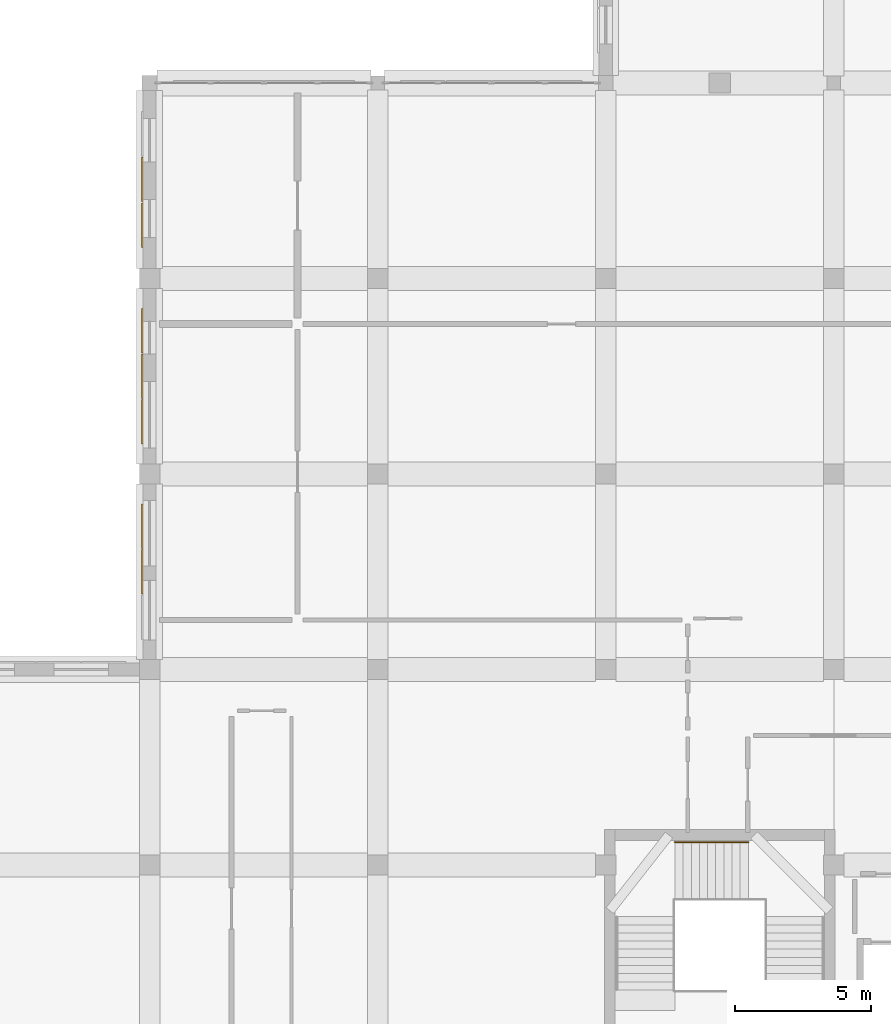
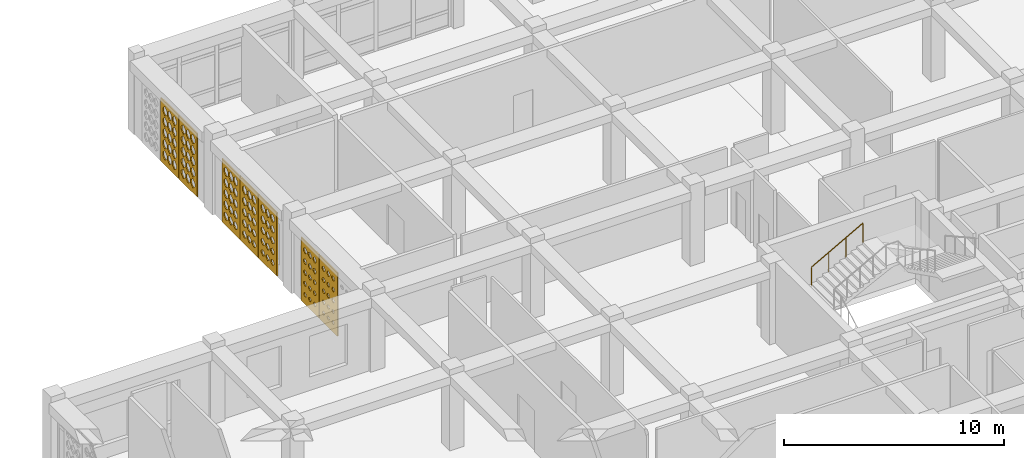
# One storey, part 107 of 121: 7 coverings, 1 railing.
"""IFC4 building model written with IfcOpenShell, lengths in metres."""

from ifc_helpers import new_model, si_unit, derived_unit, direction, frame, origin, origin_2d, place, context, subcontext, project, spatial, polyline, circle, outline, extrude, material, layer, layer_set, type_object, element, save


model = new_model("IFC4")

# Units and contexts
model_context = context("Model", 3, precision=1e-05, world=origin(), true_north=direction((0.0, 1.0)))
body_context = subcontext(model_context, "Body", "Model", "MODEL_VIEW")
ifc_project = project(units=[si_unit("LENGTHUNIT", "METRE"), si_unit("AREAUNIT", "SQUARE_METRE"), si_unit("VOLUMEUNIT", "CUBIC_METRE"), si_unit("PLANEANGLEUNIT", "RADIAN"), si_unit("MASSUNIT", "GRAM", prefix="KILO"), derived_unit("THERMALTRANSMITTANCEUNIT", [(si_unit("POWERUNIT", "WATT"), 1), (si_unit("LENGTHUNIT", "METRE"), -2), (si_unit("THERMODYNAMICTEMPERATUREUNIT", "KELVIN"), -1)])], contexts=[model_context])

# Site, building, storey
site_placement = place(None, origin())
site = spatial("IfcSite", under=ifc_project, at=site_placement, CompositionType="ELEMENT")
building_placement = place(site_placement, origin())
building = spatial("IfcBuilding", under=site, at=building_placement, Name="Veybourne Emporium", CompositionType="ELEMENT")
storey_placement = place(building_placement, frame((0.0, 0.0, 5.39990234375)))
storey = spatial("IfcBuildingStorey", under=building, at=storey_placement, Name="L01", CompositionType="ELEMENT", Elevation=5.39990234375)

# Railing
ifc_material_1 = material(Name="Brushed Stainless Steel", Category="steel")
railing_type = type_object("IfcRailingType", Name="Handrail_HR-01", PredefinedType="HANDRAIL", material=ifc_material_1)
railing_placement = place(storey_placement, frame((52.949951171875, 80.0400390625, 1.650146484375)))
element("IfcRailing", 1, at=railing_placement, inside=storey, type_object=railing_type, Name="L01 ST-03 pitch handrail 2", PredefinedType="HANDRAIL", context=body_context, shape_type="SweptSolid", body=[
    extrude(circle(Radius=0.02392578125, at=origin_2d()), frame((0.0, 0.0, 0.92578125), z_axis=(0.87415354758, 0.0, 0.485649642493), x_axis=(0.0, 1.0, 0.0)), (0.0, 0.0, 1.0), 3.088623046875),
    extrude(circle(Radius=0.02099609375, at=origin_2d()), frame((0.0, 0.0, -0.14990234375)), (0.0, 0.0, 1.0), 1.0517578125),
    extrude(circle(Radius=0.02099609375, at=origin_2d()), frame((0.89990234375, 0.0, 0.35009765625)), (0.0, 0.0, 1.0), 1.0517578125),
    extrude(circle(Radius=0.02099609375, at=origin_2d()), frame((1.800048828125, 0.0, 0.85009765625)), (0.0, 0.0, 1.0), 1.0517578125),
    extrude(circle(Radius=0.02099609375, at=origin_2d()), frame((2.699951171875, 0.0, 1.35009765625)), (0.0, 0.0, 1.0), 1.0517578125),
])

# Coverings
ifc_material_2 = material(Name="Warm-White Perforated Aluminium Screen Alloy", Category="aluminium")
ifc_layer_1 = layer(ifc_material_2, 0.06005859375)
ifc_layer_set_1 = layer_set([ifc_layer_1], Name="Warm-White Perforated Aluminium Screen Alloy")
covering_type_1 = type_object("IfcCoveringType", Name="WaveScreen_SCR-01", PredefinedType="CLADDING", material=ifc_layer_set_1)
covering_1_placement = place(storey_placement, frame((33.302001953125, 104.449951171875, 1.815185546875), z_axis=(1.0, 0.0, 0.0), x_axis=(0.0, 1.0, 0.0)))
element("IfcCovering", 2, at=covering_1_placement, inside=storey, type_object=covering_type_1, Name="L01 wave-perforated aluminium screen SCR-01 (25.2)", PredefinedType="CLADDING", context=body_context, shape_type="SweptSolid", body=[
    extrude(outline(polyline([(-0.81982421875, -1.7548828125), (0.81982421875, -1.7548828125), (0.81982421875, 1.7548828125), (-0.81982421875, 1.7548828125), (-0.81982421875, -1.7548828125)]), holes=[polyline([(-0.433349609375, -0.964111328125), (-0.2470703125, -1.133056640625), (-0.2470703125, -1.322998046875), (-0.433349609375, -1.491943359375), (-0.61962890625, -1.322998046875), (-0.61962890625, -1.133056640625), (-0.433349609375, -0.964111328125)]), polyline([(-0.433349609375, -0.35009765625), (-0.2470703125, -0.51904296875), (-0.2470703125, -0.708984375), (-0.433349609375, -0.8779296875), (-0.61962890625, -0.708984375), (-0.61962890625, -0.51904296875), (-0.433349609375, -0.35009765625)]), polyline([(-0.433349609375, 0.263916015625), (-0.2470703125, 0.094970703125), (-0.2470703125, -0.094970703125), (-0.433349609375, -0.263916015625), (-0.61962890625, -0.094970703125), (-0.61962890625, 0.094970703125), (-0.433349609375, 0.263916015625)]), polyline([(-0.433349609375, 0.8779296875), (-0.2470703125, 0.708984375), (-0.2470703125, 0.51904296875), (-0.433349609375, 0.35009765625), (-0.61962890625, 0.51904296875), (-0.61962890625, 0.708984375), (-0.433349609375, 0.8779296875)]), polyline([(-0.433349609375, 1.491943359375), (-0.2470703125, 1.322998046875), (-0.2470703125, 1.133056640625), (-0.433349609375, 0.964111328125), (-0.61962890625, 1.133056640625), (-0.61962890625, 1.322998046875), (-0.433349609375, 1.491943359375)]), polyline([(0.0, -0.964111328125), (0.186279296875, -1.133056640625), (0.186279296875, -1.322998046875), (0.0, -1.491943359375), (-0.186279296875, -1.322998046875), (-0.186279296875, -1.133056640625), (0.0, -0.964111328125)]), polyline([(0.0, -0.35009765625), (0.186279296875, -0.51904296875), (0.186279296875, -0.708984375), (0.0, -0.8779296875), (-0.186279296875, -0.708984375), (-0.186279296875, -0.51904296875), (0.0, -0.35009765625)]), polyline([(0.0, 0.263916015625), (0.186279296875, 0.094970703125), (0.186279296875, -0.094970703125), (0.0, -0.263916015625), (-0.186279296875, -0.094970703125), (-0.186279296875, 0.094970703125), (0.0, 0.263916015625)]), polyline([(0.0, 0.8779296875), (0.186279296875, 0.708984375), (0.186279296875, 0.51904296875), (0.0, 0.35009765625), (-0.186279296875, 0.51904296875), (-0.186279296875, 0.708984375), (0.0, 0.8779296875)]), polyline([(0.0, 1.491943359375), (0.186279296875, 1.322998046875), (0.186279296875, 1.133056640625), (0.0, 0.964111328125), (-0.186279296875, 1.133056640625), (-0.186279296875, 1.322998046875), (0.0, 1.491943359375)]), polyline([(0.433349609375, -0.964111328125), (0.61962890625, -1.133056640625), (0.61962890625, -1.322998046875), (0.433349609375, -1.491943359375), (0.2470703125, -1.322998046875), (0.2470703125, -1.133056640625), (0.433349609375, -0.964111328125)]), polyline([(0.433349609375, -0.35009765625), (0.61962890625, -0.51904296875), (0.61962890625, -0.708984375), (0.433349609375, -0.8779296875), (0.2470703125, -0.708984375), (0.2470703125, -0.51904296875), (0.433349609375, -0.35009765625)]), polyline([(0.433349609375, 0.263916015625), (0.61962890625, 0.094970703125), (0.61962890625, -0.094970703125), (0.433349609375, -0.263916015625), (0.2470703125, -0.094970703125), (0.2470703125, 0.094970703125), (0.433349609375, 0.263916015625)]), polyline([(0.433349609375, 0.8779296875), (0.61962890625, 0.708984375), (0.61962890625, 0.51904296875), (0.433349609375, 0.35009765625), (0.2470703125, 0.51904296875), (0.2470703125, 0.708984375), (0.433349609375, 0.8779296875)]), polyline([(0.433349609375, 1.4912109375), (0.61962890625, 1.32275390625), (0.61962890625, 1.13330078125), (0.433349609375, 0.964599609375), (0.2470703125, 1.13330078125), (0.2470703125, 1.32275390625), (0.433349609375, 1.4912109375)])]), origin(), (0.0, 0.0, 1.0), 0.06005859375),
])
ifc_layer_2 = layer(ifc_material_2, 0.06005859375)
ifc_layer_set_2 = layer_set([ifc_layer_2], Name="Warm-White Perforated Aluminium Screen Alloy")
covering_type_2 = type_object("IfcCoveringType", Name="WaveScreen_SCR-02", PredefinedType="CLADDING", material=ifc_layer_set_2)
covering_2_placement = place(storey_placement, frame((33.302001953125, 90.0, 1.815185546875), z_axis=(1.0, 0.0, 0.0), x_axis=(0.0, 1.0, 0.0)))
element("IfcCovering", 3, at=covering_2_placement, inside=storey, type_object=covering_type_2, Name="L01 wave-perforated aluminium screen SCR-02 (22.2)", PredefinedType="CLADDING", context=body_context, shape_type="SweptSolid", body=[
    extrude(outline(polyline([(-0.81982421875, -1.7548828125), (0.81982421875, -1.7548828125), (0.81982421875, 1.7548828125), (-0.81982421875, 1.7548828125), (-0.81982421875, -1.7548828125)]), holes=[polyline([(-0.433349609375, -1.11572265625), (-0.33154296875, -1.1875), (-0.33154296875, -1.268310546875), (-0.433349609375, -1.34033203125), (-0.53515625, -1.268310546875), (-0.53515625, -1.1875), (-0.433349609375, -1.11572265625)]), polyline([(-0.433349609375, -0.497314453125), (-0.327880859375, -0.572021484375), (-0.327880859375, -0.656005859375), (-0.433349609375, -0.730712890625), (-0.538818359375, -0.656005859375), (-0.538818359375, -0.572021484375), (-0.433349609375, -0.497314453125)]), polyline([(-0.433349609375, 0.12353515625), (-0.322265625, 0.04443359375), (-0.322265625, -0.04443359375), (-0.433349609375, -0.12353515625), (-0.54443359375, -0.04443359375), (-0.54443359375, 0.04443359375), (-0.433349609375, 0.12353515625)]), polyline([(-0.433349609375, 0.74609375), (-0.315185546875, 0.66162109375), (-0.315185546875, 0.56640625), (-0.433349609375, 0.481689453125), (-0.551513671875, 0.56640625), (-0.551513671875, 0.66162109375), (-0.433349609375, 0.74609375)]), polyline([(-0.433349609375, 1.370849609375), (-0.306396484375, 1.279296875), (-0.306396484375, 1.176513671875), (-0.433349609375, 1.085205078125), (-0.56005859375, 1.176513671875), (-0.56005859375, 1.279296875), (-0.433349609375, 1.370849609375)]), polyline([(0.0, -1.114013671875), (0.103271484375, -1.18701171875), (0.103271484375, -1.26904296875), (0.0, -1.342041015625), (-0.103271484375, -1.26904296875), (-0.103271484375, -1.18701171875), (0.0, -1.114013671875)]), polyline([(0.0, -0.494384765625), (0.10791015625, -0.571044921875), (0.10791015625, -0.656982421875), (0.0, -0.733642578125), (-0.10791015625, -0.656982421875), (-0.10791015625, -0.571044921875), (0.0, -0.494384765625)]), polyline([(0.0, 0.127197265625), (0.114013671875, 0.0458984375), (0.114013671875, -0.0458984375), (0.0, -0.127197265625), (-0.114013671875, -0.0458984375), (-0.114013671875, 0.0458984375), (0.0, 0.127197265625)]), polyline([(0.0, 0.750732421875), (0.121826171875, 0.663330078125), (0.121826171875, 0.564697265625), (0.0, 0.477294921875), (-0.121826171875, 0.564697265625), (-0.121826171875, 0.663330078125), (0.0, 0.750732421875)]), polyline([(0.0, 1.376220703125), (0.131103515625, 1.28125), (0.131103515625, 1.1748046875), (0.0, 1.079833984375), (-0.131103515625, 1.1748046875), (-0.131103515625, 1.28125), (0.0, 1.376220703125)]), polyline([(0.433349609375, -1.11181640625), (0.53857421875, -1.18603515625), (0.53857421875, -1.27001953125), (0.433349609375, -1.34423828125), (0.328125, -1.27001953125), (0.328125, -1.18603515625), (0.433349609375, -1.11181640625)]), polyline([(0.433349609375, -0.4912109375), (0.543701171875, -0.56982421875), (0.543701171875, -0.658203125), (0.433349609375, -0.73681640625), (0.322998046875, -0.658203125), (0.322998046875, -0.56982421875), (0.433349609375, -0.4912109375)]), polyline([(0.433349609375, 0.13134765625), (0.55078125, 0.04736328125), (0.55078125, -0.04736328125), (0.433349609375, -0.13134765625), (0.31591796875, -0.04736328125), (0.31591796875, 0.04736328125), (0.433349609375, 0.13134765625)]), polyline([(0.433349609375, 0.755615234375), (0.559326171875, 0.6650390625), (0.559326171875, 0.56298828125), (0.433349609375, 0.472412109375), (0.307373046875, 0.56298828125), (0.307373046875, 0.6650390625), (0.433349609375, 0.755615234375)]), polyline([(0.433349609375, 1.381591796875), (0.569091796875, 1.283203125), (0.569091796875, 1.172607421875), (0.433349609375, 1.074462890625), (0.297607421875, 1.172607421875), (0.297607421875, 1.283203125), (0.433349609375, 1.381591796875)])]), origin(), (0.0, 0.0, 1.0), 0.06005859375),
])
covering_3_placement = place(storey_placement, frame((33.302001953125, 95.52001953125, 1.815185546875), z_axis=(1.0, 0.0, 0.0), x_axis=(0.0, 1.0, 0.0)))
element("IfcCovering", 4, at=covering_3_placement, inside=storey, type_object=covering_type_2, Name="L01 wave-perforated aluminium screen SCR-02 (23.1)", PredefinedType="CLADDING", context=body_context, shape_type="SweptSolid", body=[
    extrude(outline(polyline([(-0.81982421875, -1.7548828125), (0.81982421875, -1.7548828125), (0.81982421875, 1.7548828125), (-0.81982421875, 1.7548828125), (-0.81982421875, -1.7548828125)]), holes=[polyline([(-0.433349609375, -1.06298828125), (-0.288330078125, -1.168701171875), (-0.288330078125, -1.287353515625), (-0.433349609375, -1.392822265625), (-0.578369140625, -1.287353515625), (-0.578369140625, -1.168701171875), (-0.433349609375, -1.06298828125)]), polyline([(-0.433349609375, -0.435302734375), (-0.277099609375, -0.5498046875), (-0.277099609375, -0.67822265625), (-0.433349609375, -0.79248046875), (-0.589599609375, -0.67822265625), (-0.589599609375, -0.5498046875), (-0.433349609375, -0.435302734375)]), polyline([(-0.433349609375, 0.192626953125), (-0.265625, 0.0693359375), (-0.265625, -0.0693359375), (-0.433349609375, -0.192626953125), (-0.60107421875, -0.0693359375), (-0.60107421875, 0.0693359375), (-0.433349609375, 0.192626953125)]), polyline([(-0.433349609375, 0.82080078125), (-0.254150390625, 0.6884765625), (-0.254150390625, 0.53955078125), (-0.433349609375, 0.4072265625), (-0.612548828125, 0.53955078125), (-0.612548828125, 0.6884765625), (-0.433349609375, 0.82080078125)]), polyline([(-0.433349609375, 1.448486328125), (-0.2470703125, 1.307373046875), (-0.2470703125, 1.148681640625), (-0.433349609375, 1.007568359375), (-0.61962890625, 1.148681640625), (-0.61962890625, 1.307373046875), (-0.433349609375, 1.448486328125)]), polyline([(0.0, -1.056884765625), (0.14990234375, -1.16650390625), (0.14990234375, -1.28955078125), (0.0, -1.399169921875), (-0.14990234375, -1.28955078125), (-0.14990234375, -1.16650390625), (0.0, -1.056884765625)]), polyline([(0.0, -0.428955078125), (0.161376953125, -0.54736328125), (0.161376953125, -0.6806640625), (0.0, -0.799072265625), (-0.161376953125, -0.6806640625), (-0.161376953125, -0.54736328125), (0.0, -0.428955078125)]), polyline([(0.0, 0.19921875), (0.1728515625, 0.07177734375), (0.1728515625, -0.07177734375), (0.0, -0.19921875), (-0.1728515625, -0.07177734375), (-0.1728515625, 0.07177734375), (0.0, 0.19921875)]), polyline([(0.0, 0.8271484375), (0.184326171875, 0.690673828125), (0.184326171875, 0.537353515625), (0.0, 0.40087890625), (-0.184326171875, 0.537353515625), (-0.184326171875, 0.690673828125), (0.0, 0.8271484375)]), polyline([(0.0, 1.45458984375), (0.186279296875, 1.3095703125), (0.186279296875, 1.146484375), (0.0, 1.00146484375), (-0.186279296875, 1.146484375), (-0.186279296875, 1.3095703125), (0.0, 1.45458984375)]), polyline([(0.433349609375, -1.05078125), (0.58837890625, -1.164306640625), (0.58837890625, -1.291748046875), (0.433349609375, -1.4052734375), (0.2783203125, -1.291748046875), (0.2783203125, -1.164306640625), (0.433349609375, -1.05078125)]), polyline([(0.433349609375, -0.422607421875), (0.599853515625, -0.545166015625), (0.599853515625, -0.682861328125), (0.433349609375, -0.805419921875), (0.2666015625, -0.682861328125), (0.2666015625, -0.545166015625), (0.433349609375, -0.422607421875)]), polyline([(0.433349609375, 0.20556640625), (0.611572265625, 0.073974609375), (0.611572265625, -0.073974609375), (0.433349609375, -0.20556640625), (0.255126953125, -0.073974609375), (0.255126953125, 0.073974609375), (0.433349609375, 0.20556640625)]), polyline([(0.433349609375, 0.833251953125), (0.61962890625, 0.69287109375), (0.61962890625, 0.53515625), (0.433349609375, 0.394775390625), (0.2470703125, 0.53515625), (0.2470703125, 0.69287109375), (0.433349609375, 0.833251953125)]), polyline([(0.433349609375, 1.460205078125), (0.61962890625, 1.3115234375), (0.61962890625, 1.144287109375), (0.433349609375, 0.995849609375), (0.2470703125, 1.144287109375), (0.2470703125, 1.3115234375), (0.433349609375, 1.460205078125)])]), origin(), (0.0, 0.0, 1.0), 0.06005859375),
])
ifc_layer_3 = layer(ifc_material_2, 0.06005859375)
ifc_layer_set_3 = layer_set([ifc_layer_3], Name="Warm-White Perforated Aluminium Screen Alloy")
covering_type_3 = type_object("IfcCoveringType", Name="WaveScreen_SCR-03", PredefinedType="CLADDING", material=ifc_layer_set_3)
covering_4_placement = place(storey_placement, frame((33.302001953125, 91.679931640625, 1.815185546875), z_axis=(1.0, 0.0, 0.0), x_axis=(0.0, 1.0, 0.0)))
element("IfcCovering", 5, at=covering_4_placement, inside=storey, type_object=covering_type_3, Name="L01 wave-perforated aluminium screen SCR-03 (22.3)", PredefinedType="CLADDING", context=body_context, shape_type="SweptSolid", body=[
    extrude(outline(polyline([(-0.81982421875, -1.7548828125), (0.81982421875, -1.7548828125), (0.81982421875, 1.7548828125), (-0.81982421875, 1.7548828125), (-0.81982421875, -1.7548828125)]), holes=[polyline([(-0.433349609375, -1.106201171875), (-0.32373046875, -1.18408203125), (-0.32373046875, -1.271728515625), (-0.433349609375, -1.349609375), (-0.54296875, -1.271728515625), (-0.54296875, -1.18408203125), (-0.433349609375, -1.106201171875)]), polyline([(-0.433349609375, -0.48388671875), (-0.31689453125, -0.567138671875), (-0.31689453125, -0.660888671875), (-0.433349609375, -0.743896484375), (-0.5498046875, -0.660888671875), (-0.5498046875, -0.567138671875), (-0.433349609375, -0.48388671875)]), polyline([(-0.433349609375, 0.14013671875), (-0.30859375, 0.05029296875), (-0.30859375, -0.05029296875), (-0.433349609375, -0.14013671875), (-0.55810546875, -0.05029296875), (-0.55810546875, 0.05029296875), (-0.433349609375, 0.14013671875)]), polyline([(-0.433349609375, 0.765869140625), (-0.29931640625, 0.668701171875), (-0.29931640625, 0.559326171875), (-0.433349609375, 0.462158203125), (-0.5673828125, 0.559326171875), (-0.5673828125, 0.668701171875), (-0.433349609375, 0.765869140625)]), polyline([(-0.433349609375, 1.392578125), (-0.28857421875, 1.287353515625), (-0.28857421875, 1.168701171875), (-0.433349609375, 1.0634765625), (-0.577880859375, 1.168701171875), (-0.577880859375, 1.287353515625), (-0.433349609375, 1.392578125)]), polyline([(0.0, -1.102783203125), (0.1123046875, -1.182861328125), (0.1123046875, -1.273193359375), (0.0, -1.353271484375), (-0.1123046875, -1.273193359375), (-0.1123046875, -1.182861328125), (0.0, -1.102783203125)]), polyline([(0.0, -0.479736328125), (0.119873046875, -0.565673828125), (0.119873046875, -0.662353515625), (0.0, -0.748291015625), (-0.119873046875, -0.662353515625), (-0.119873046875, -0.565673828125), (0.0, -0.479736328125)]), polyline([(0.0, 0.145263671875), (0.12890625, 0.05224609375), (0.12890625, -0.05224609375), (0.0, -0.145263671875), (-0.12890625, -0.05224609375), (-0.12890625, 0.05224609375), (0.0, 0.145263671875)]), polyline([(0.0, 0.771484375), (0.138916015625, 0.670654296875), (0.138916015625, 0.557373046875), (0.0, 0.45654296875), (-0.138916015625, 0.557373046875), (-0.138916015625, 0.670654296875), (0.0, 0.771484375)]), polyline([(0.0, 1.398681640625), (0.149658203125, 1.28955078125), (0.149658203125, 1.16650390625), (0.0, 1.05712890625), (-0.149658203125, 1.16650390625), (-0.149658203125, 1.28955078125), (0.0, 1.398681640625)]), polyline([(0.433349609375, -1.098876953125), (0.549072265625, -1.181396484375), (0.549072265625, -1.2744140625), (0.433349609375, -1.357177734375), (0.317626953125, -1.2744140625), (0.317626953125, -1.181396484375), (0.433349609375, -1.098876953125)]), polyline([(0.433349609375, -0.474853515625), (0.55712890625, -0.56396484375), (0.55712890625, -0.6640625), (0.433349609375, -0.753173828125), (0.3095703125, -0.6640625), (0.3095703125, -0.56396484375), (0.433349609375, -0.474853515625)]), polyline([(0.433349609375, 0.150634765625), (0.566650390625, 0.05419921875), (0.566650390625, -0.05419921875), (0.433349609375, -0.150634765625), (0.300048828125, -0.05419921875), (0.300048828125, 0.05419921875), (0.433349609375, 0.150634765625)]), polyline([(0.433349609375, 0.77734375), (0.576904296875, 0.6728515625), (0.576904296875, 0.55517578125), (0.433349609375, 0.45068359375), (0.28955078125, 0.55517578125), (0.28955078125, 0.6728515625), (0.433349609375, 0.77734375)]), polyline([(0.433349609375, 1.405029296875), (0.588134765625, 1.291748046875), (0.588134765625, 1.164306640625), (0.433349609375, 1.051025390625), (0.278564453125, 1.164306640625), (0.278564453125, 1.291748046875), (0.433349609375, 1.405029296875)])]), origin(), (0.0, 0.0, 1.0), 0.06005859375),
])
covering_5_placement = place(storey_placement, frame((33.302001953125, 97.199951171875, 1.815185546875), z_axis=(1.0, 0.0, 0.0), x_axis=(0.0, 1.0, 0.0)))
element("IfcCovering", 6, at=covering_5_placement, inside=storey, type_object=covering_type_3, Name="L01 wave-perforated aluminium screen SCR-03 (23.2)", PredefinedType="CLADDING", context=body_context, shape_type="SweptSolid", body=[
    extrude(outline(polyline([(-0.81982421875, -1.7548828125), (0.81982421875, -1.7548828125), (0.81982421875, 1.7548828125), (-0.81982421875, 1.7548828125), (-0.81982421875, -1.7548828125)]), holes=[polyline([(-0.433349609375, -1.038818359375), (-0.268310546875, -1.159912109375), (-0.268310546875, -1.296142578125), (-0.433349609375, -1.417236328125), (-0.59814453125, -1.296142578125), (-0.59814453125, -1.159912109375), (-0.433349609375, -1.038818359375)]), polyline([(-0.433349609375, -0.410400390625), (-0.2568359375, -0.540771484375), (-0.2568359375, -0.687255859375), (-0.433349609375, -0.8173828125), (-0.60986328125, -0.687255859375), (-0.60986328125, -0.540771484375), (-0.433349609375, -0.410400390625)]), polyline([(-0.433349609375, 0.21728515625), (-0.2470703125, 0.078125), (-0.2470703125, -0.078125), (-0.433349609375, -0.21728515625), (-0.61962890625, -0.078125), (-0.61962890625, 0.078125), (-0.433349609375, 0.21728515625)]), polyline([(-0.433349609375, 0.844482421875), (-0.2470703125, 0.697021484375), (-0.2470703125, 0.531005859375), (-0.433349609375, 0.383544921875), (-0.61962890625, 0.531005859375), (-0.61962890625, 0.697021484375), (-0.433349609375, 0.844482421875)]), polyline([(-0.433349609375, 1.470458984375), (-0.2470703125, 1.315185546875), (-0.2470703125, 1.140625), (-0.433349609375, 0.985595703125), (-0.61962890625, 1.140625), (-0.61962890625, 1.315185546875), (-0.433349609375, 1.470458984375)]), polyline([(0.0, -1.0322265625), (0.170166015625, -1.157470703125), (0.170166015625, -1.298583984375), (0.0, -1.423583984375), (-0.170166015625, -1.298583984375), (-0.170166015625, -1.157470703125), (0.0, -1.0322265625)]), polyline([(0.0, -0.404296875), (0.181640625, -0.53857421875), (0.181640625, -0.689453125), (0.0, -0.82373046875), (-0.181640625, -0.689453125), (-0.181640625, -0.53857421875), (0.0, -0.404296875)]), polyline([(0.0, 0.223388671875), (0.186279296875, 0.080322265625), (0.186279296875, -0.080322265625), (0.0, -0.223388671875), (-0.186279296875, -0.080322265625), (-0.186279296875, 0.080322265625), (0.0, 0.223388671875)]), polyline([(0.0, 0.85009765625), (0.186279296875, 0.698974609375), (0.186279296875, 0.529052734375), (0.0, 0.3779296875), (-0.186279296875, 0.529052734375), (-0.186279296875, 0.698974609375), (0.0, 0.85009765625)]), polyline([(0.0, 1.475341796875), (0.186279296875, 1.31689453125), (0.186279296875, 1.138916015625), (0.0, 0.980712890625), (-0.186279296875, 1.138916015625), (-0.186279296875, 1.31689453125), (0.0, 1.475341796875)]), polyline([(0.433349609375, -1.02587890625), (0.608642578125, -1.1552734375), (0.608642578125, -1.30078125), (0.433349609375, -1.43017578125), (0.2578125, -1.30078125), (0.2578125, -1.1552734375), (0.433349609375, -1.02587890625)]), polyline([(0.433349609375, -0.39794921875), (0.61962890625, -0.5361328125), (0.61962890625, -0.69189453125), (0.433349609375, -0.830078125), (0.2470703125, -0.69189453125), (0.2470703125, -0.5361328125), (0.433349609375, -0.39794921875)]), polyline([(0.433349609375, 0.229248046875), (0.61962890625, 0.08251953125), (0.61962890625, -0.08251953125), (0.433349609375, -0.229248046875), (0.2470703125, -0.08251953125), (0.2470703125, 0.08251953125), (0.433349609375, 0.229248046875)]), polyline([(0.433349609375, 0.855224609375), (0.61962890625, 0.700927734375), (0.61962890625, 0.527099609375), (0.433349609375, 0.372802734375), (0.2470703125, 0.527099609375), (0.2470703125, 0.700927734375), (0.433349609375, 0.855224609375)]), polyline([(0.433349609375, 1.47998046875), (0.61962890625, 1.318603515625), (0.61962890625, 1.13720703125), (0.433349609375, 0.97607421875), (0.2470703125, 1.13720703125), (0.2470703125, 1.318603515625), (0.433349609375, 1.47998046875)])]), origin(), (0.0, 0.0, 1.0), 0.06005859375),
])
ifc_layer_4 = layer(ifc_material_2, 0.06005859375)
ifc_layer_set_4 = layer_set([ifc_layer_4], Name="Warm-White Perforated Aluminium Screen Alloy")
covering_type_4 = type_object("IfcCoveringType", Name="WaveScreen_SCR-04", PredefinedType="CLADDING", material=ifc_layer_set_4)
covering_6_placement = place(storey_placement, frame((33.302001953125, 98.8798828125, 1.815185546875), z_axis=(1.0, 0.0, 0.0), x_axis=(0.0, 1.0, 0.0)))
element("IfcCovering", 7, at=covering_6_placement, inside=storey, type_object=covering_type_4, Name="L01 wave-perforated aluminium screen SCR-04 (23.3)", PredefinedType="CLADDING", context=body_context, shape_type="SweptSolid", body=[
    extrude(outline(polyline([(-0.81982421875, -1.7548828125), (0.81982421875, -1.7548828125), (0.81982421875, 1.7548828125), (-0.81982421875, 1.7548828125), (-0.81982421875, -1.7548828125)]), holes=[polyline([(-0.433349609375, -1.013916015625), (-0.248291015625, -1.15087890625), (-0.248291015625, -1.304931640625), (-0.433349609375, -1.44189453125), (-0.618408203125, -1.304931640625), (-0.618408203125, -1.15087890625), (-0.433349609375, -1.013916015625)]), polyline([(-0.433349609375, -0.38671875), (-0.2470703125, -0.5322265625), (-0.2470703125, -0.69580078125), (-0.433349609375, -0.84130859375), (-0.61962890625, -0.69580078125), (-0.61962890625, -0.5322265625), (-0.433349609375, -0.38671875)]), polyline([(-0.433349609375, 0.239501953125), (-0.2470703125, 0.086181640625), (-0.2470703125, -0.086181640625), (-0.433349609375, -0.239501953125), (-0.61962890625, -0.086181640625), (-0.61962890625, 0.086181640625), (-0.433349609375, 0.239501953125)]), polyline([(-0.433349609375, 0.864501953125), (-0.2470703125, 0.7041015625), (-0.2470703125, 0.523681640625), (-0.433349609375, 0.363525390625), (-0.61962890625, 0.523681640625), (-0.61962890625, 0.7041015625), (-0.433349609375, 0.864501953125)]), polyline([(-0.433349609375, 1.48779296875), (-0.2470703125, 1.321533203125), (-0.2470703125, 1.134521484375), (-0.433349609375, 0.96826171875), (-0.61962890625, 1.134521484375), (-0.61962890625, 1.321533203125), (-0.433349609375, 1.48779296875)]), polyline([(0.0, -1.0078125), (0.186279296875, -1.148681640625), (0.186279296875, -1.307373046875), (0.0, -1.4482421875), (-0.186279296875, -1.307373046875), (-0.186279296875, -1.148681640625), (0.0, -1.0078125)]), polyline([(0.0, -0.381103515625), (0.186279296875, -0.530029296875), (0.186279296875, -0.697998046875), (0.0, -0.846923828125), (-0.186279296875, -0.697998046875), (-0.186279296875, -0.530029296875), (0.0, -0.381103515625)]), polyline([(0.0, 0.24462890625), (0.186279296875, 0.088134765625), (0.186279296875, -0.088134765625), (0.0, -0.24462890625), (-0.186279296875, -0.088134765625), (-0.186279296875, 0.088134765625), (0.0, 0.24462890625)]), polyline([(0.0, 0.868896484375), (0.186279296875, 0.705810546875), (0.186279296875, 0.522216796875), (0.0, 0.359130859375), (-0.186279296875, 0.522216796875), (-0.186279296875, 0.705810546875), (0.0, 0.868896484375)]), polyline([(0.0, 1.4912109375), (0.186279296875, 1.32275390625), (0.186279296875, 1.13330078125), (0.0, 0.96484375), (-0.186279296875, 1.13330078125), (-0.186279296875, 1.32275390625), (0.0, 1.4912109375)]), polyline([(0.433349609375, -1.001953125), (0.61962890625, -1.146484375), (0.61962890625, -1.309326171875), (0.433349609375, -1.4541015625), (0.2470703125, -1.309326171875), (0.2470703125, -1.146484375), (0.433349609375, -1.001953125)]), polyline([(0.433349609375, -0.37548828125), (0.61962890625, -0.528076171875), (0.61962890625, -0.699951171875), (0.433349609375, -0.8525390625), (0.2470703125, -0.699951171875), (0.2470703125, -0.528076171875), (0.433349609375, -0.37548828125)]), polyline([(0.433349609375, 0.24951171875), (0.61962890625, 0.08984375), (0.61962890625, -0.08984375), (0.433349609375, -0.24951171875), (0.2470703125, -0.08984375), (0.2470703125, 0.08984375), (0.433349609375, 0.24951171875)]), polyline([(0.433349609375, 0.872802734375), (0.61962890625, 0.707275390625), (0.61962890625, 0.520751953125), (0.433349609375, 0.35498046875), (0.2470703125, 0.520751953125), (0.2470703125, 0.707275390625), (0.433349609375, 0.872802734375)]), polyline([(0.433349609375, 1.491943359375), (0.61962890625, 1.322998046875), (0.61962890625, 1.133056640625), (0.433349609375, 0.964111328125), (0.2470703125, 1.133056640625), (0.2470703125, 1.322998046875), (0.433349609375, 1.491943359375)])]), origin(), (0.0, 0.0, 1.0), 0.06005859375),
])
covering_7_placement = place(storey_placement, frame((33.302001953125, 102.77001953125, 1.815185546875), z_axis=(1.0, 0.0, 0.0), x_axis=(0.0, 1.0, 0.0)))
element("IfcCovering", 8, at=covering_7_placement, inside=storey, type_object=covering_type_4, Name="L01 wave-perforated aluminium screen SCR-04 (25.1)", PredefinedType="CLADDING", context=body_context, shape_type="SweptSolid", body=[
    extrude(outline(polyline([(-0.81982421875, -1.7548828125), (0.81982421875, -1.7548828125), (0.81982421875, 1.7548828125), (-0.81982421875, 1.7548828125), (-0.81982421875, -1.7548828125)]), holes=[polyline([(-0.433349609375, -0.9677734375), (-0.2470703125, -1.13427734375), (-0.2470703125, -1.32177734375), (-0.433349609375, -1.48828125), (-0.61962890625, -1.32177734375), (-0.61962890625, -1.13427734375), (-0.433349609375, -0.9677734375)]), polyline([(-0.433349609375, -0.35009765625), (-0.2470703125, -0.51904296875), (-0.2470703125, -0.708984375), (-0.433349609375, -0.8779296875), (-0.61962890625, -0.708984375), (-0.61962890625, -0.51904296875), (-0.433349609375, -0.35009765625)]), polyline([(-0.433349609375, 0.263916015625), (-0.2470703125, 0.094970703125), (-0.2470703125, -0.094970703125), (-0.433349609375, -0.263916015625), (-0.61962890625, -0.094970703125), (-0.61962890625, 0.094970703125), (-0.433349609375, 0.263916015625)]), polyline([(-0.433349609375, 0.8779296875), (-0.2470703125, 0.708984375), (-0.2470703125, 0.51904296875), (-0.433349609375, 0.35009765625), (-0.61962890625, 0.51904296875), (-0.61962890625, 0.708984375), (-0.433349609375, 0.8779296875)]), polyline([(-0.433349609375, 1.491943359375), (-0.2470703125, 1.322998046875), (-0.2470703125, 1.133056640625), (-0.433349609375, 0.964111328125), (-0.61962890625, 1.133056640625), (-0.61962890625, 1.322998046875), (-0.433349609375, 1.491943359375)]), polyline([(0.0, -0.96435546875), (0.186279296875, -1.133056640625), (0.186279296875, -1.322998046875), (0.0, -1.49169921875), (-0.186279296875, -1.322998046875), (-0.186279296875, -1.133056640625), (0.0, -0.96435546875)]), polyline([(0.0, -0.35009765625), (0.186279296875, -0.51904296875), (0.186279296875, -0.708984375), (0.0, -0.8779296875), (-0.186279296875, -0.708984375), (-0.186279296875, -0.51904296875), (0.0, -0.35009765625)]), polyline([(0.0, 0.263916015625), (0.186279296875, 0.094970703125), (0.186279296875, -0.094970703125), (0.0, -0.263916015625), (-0.186279296875, -0.094970703125), (-0.186279296875, 0.094970703125), (0.0, 0.263916015625)]), polyline([(0.0, 0.8779296875), (0.186279296875, 0.708984375), (0.186279296875, 0.51904296875), (0.0, 0.35009765625), (-0.186279296875, 0.51904296875), (-0.186279296875, 0.708984375), (0.0, 0.8779296875)]), polyline([(0.0, 1.491943359375), (0.186279296875, 1.322998046875), (0.186279296875, 1.133056640625), (0.0, 0.964111328125), (-0.186279296875, 1.133056640625), (-0.186279296875, 1.322998046875), (0.0, 1.491943359375)]), polyline([(0.433349609375, -0.964111328125), (0.61962890625, -1.133056640625), (0.61962890625, -1.322998046875), (0.433349609375, -1.491943359375), (0.2470703125, -1.322998046875), (0.2470703125, -1.133056640625), (0.433349609375, -0.964111328125)]), polyline([(0.433349609375, -0.35009765625), (0.61962890625, -0.51904296875), (0.61962890625, -0.708984375), (0.433349609375, -0.8779296875), (0.2470703125, -0.708984375), (0.2470703125, -0.51904296875), (0.433349609375, -0.35009765625)]), polyline([(0.433349609375, 0.263916015625), (0.61962890625, 0.094970703125), (0.61962890625, -0.094970703125), (0.433349609375, -0.263916015625), (0.2470703125, -0.094970703125), (0.2470703125, 0.094970703125), (0.433349609375, 0.263916015625)]), polyline([(0.433349609375, 0.8779296875), (0.61962890625, 0.708984375), (0.61962890625, 0.51904296875), (0.433349609375, 0.35009765625), (0.2470703125, 0.51904296875), (0.2470703125, 0.708984375), (0.433349609375, 0.8779296875)]), polyline([(0.433349609375, 1.491943359375), (0.61962890625, 1.322998046875), (0.61962890625, 1.133056640625), (0.433349609375, 0.964111328125), (0.2470703125, 1.133056640625), (0.2470703125, 1.322998046875), (0.433349609375, 1.491943359375)])]), origin(), (0.0, 0.0, 1.0), 0.06005859375),
])

save(model, "model.ifc")
